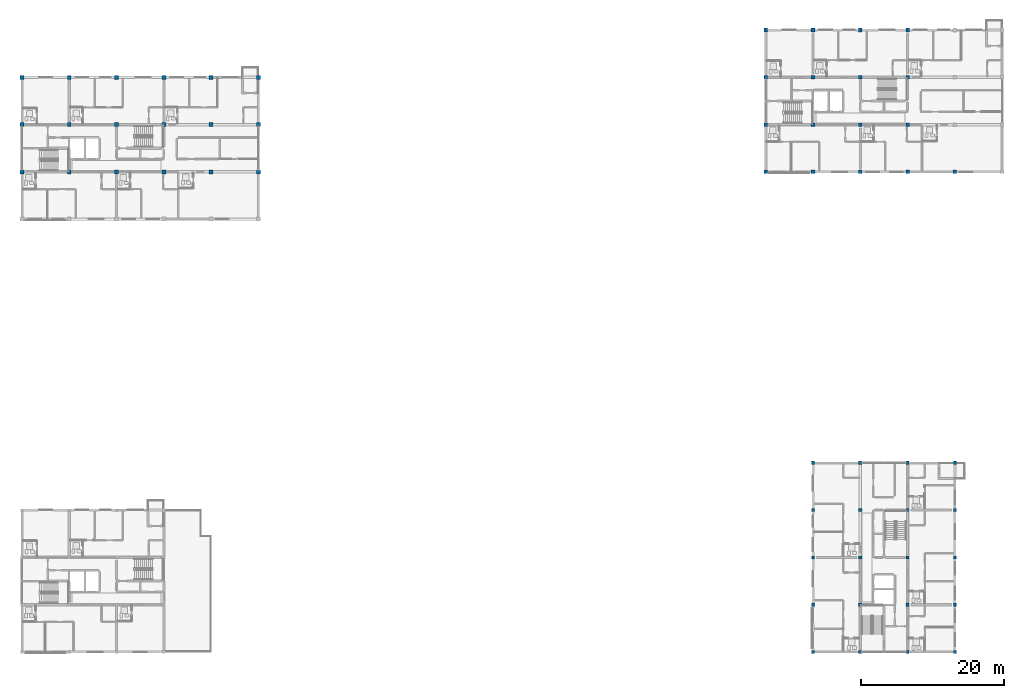
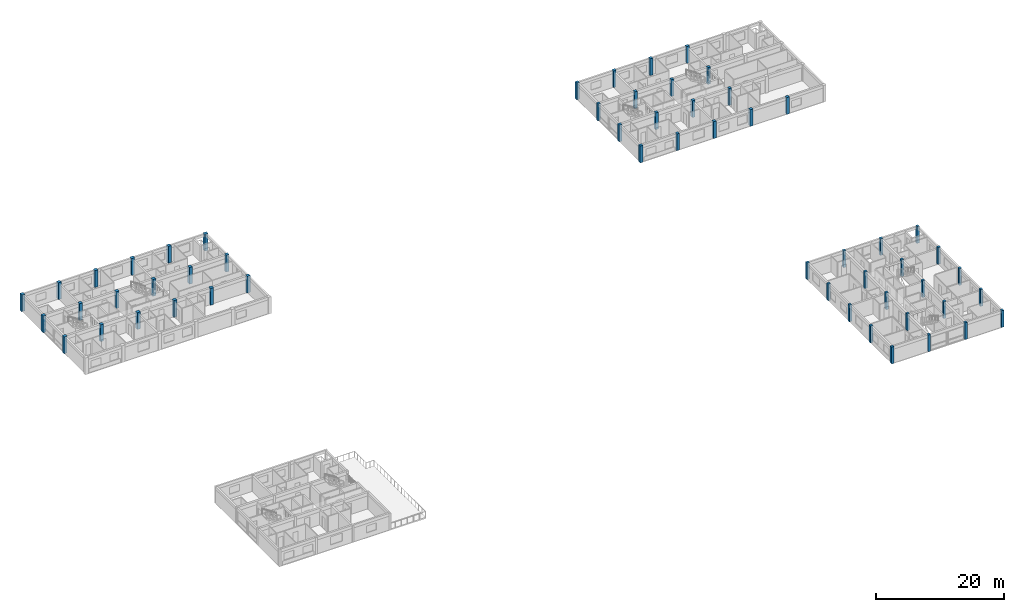
# One storey, part 2 of 46: 55 columns.
"""IFC4 building model written with IfcOpenShell, lengths in metres."""

from ifc_helpers import new_model, si_unit, direction, frame, origin, origin_2d, place, context, subcontext, project, spatial, rectangle, extrude, material, material_profile, profile_set, type_object, element, save


model = new_model("IFC4")

# Units and contexts
model_context = context("Model", 3, precision=1e-05, world=origin(), true_north=direction((0.0, 1.0)))
body_context = subcontext(model_context, "Body", "Model", "MODEL_VIEW")
ifc_project = project(units=[si_unit("LENGTHUNIT", "METRE"), si_unit("AREAUNIT", "SQUARE_METRE"), si_unit("VOLUMEUNIT", "CUBIC_METRE"), si_unit("PLANEANGLEUNIT", "RADIAN"), si_unit("MASSUNIT", "GRAM", prefix="KILO")], contexts=[model_context])

# Site, building, storey
site_placement = place(None, origin())
site = spatial("IfcSite", under=ifc_project, at=site_placement, CompositionType="ELEMENT")
building_placement = place(site_placement, origin())
building = spatial("IfcBuilding", under=site, at=building_placement, Name="Kernevlak Ridge Housing Community", CompositionType="ELEMENT")
storey_placement = place(building_placement, frame((0.0, 0.0, 27.60009765625)))
storey = spatial("IfcBuildingStorey", under=building, at=storey_placement, Name="L08", CompositionType="ELEMENT", Elevation=27.60009765625)

# Columns
ifc_material_1 = material(Name="Concrete C40/50", Category="concrete")
ifc_material_profile_1 = material_profile(ifc_material_1, rectangle(XDim=0.550048828125, YDim=0.550048828125, at=origin_2d()), Name="RC 550x550")
ifc_profile_set_1 = profile_set([ifc_material_profile_1], Name="Concrete C40/50")
column_type_1 = type_object("IfcColumnType", Name="C-02", PredefinedType="COLUMN", material=ifc_profile_set_1)
for number, where, z_axis, x_axis, name in (
    (1, (15.60009765625, 82.60009765625, 0.0), (0.0, 0.0, 1.0), (1.0, 0.0, 0.0), "Column C-02 COL-A-L08-00-1"),
    (2, (15.60009765625, 89.199951171875, 0.0), (0.0, 0.0, 1.0), (1.0, 0.0, 0.0), "Column C-02 COL-A-L08-00-2"),
    (3, (15.60009765625, 95.800048828125, 0.0), (0.0, 0.0, 1.0), (1.0, 0.0, 0.0), "Column C-02 COL-A-L08-00-3"),
    (4, (22.199951171875, 82.60009765625, 0.0), (0.0, 0.0, 1.0), (1.0, 0.0, 0.0), "Column C-02 COL-A-L08-01-1"),
    (5, (22.199951171875, 89.199951171875, 0.0), (0.0, 0.0, 1.0), (1.0, 0.0, 0.0), "Column C-02 COL-A-L08-01-2"),
    (6, (22.199951171875, 95.800048828125, 0.0), (0.0, 0.0, 1.0), (1.0, 0.0, 0.0), "Column C-02 COL-A-L08-01-3"),
    (7, (28.800048828125, 82.60009765625, 0.0), (0.0, 0.0, 1.0), (1.0, 0.0, 0.0), "Column C-02 COL-A-L08-02-1"),
    (8, (28.800048828125, 89.199951171875, 0.0), (0.0, 0.0, 1.0), (1.0, 0.0, 0.0), "Column C-02 COL-A-L08-02-2"),
    (9, (28.800048828125, 95.800048828125, 0.0), (0.0, 0.0, 1.0), (1.0, 0.0, 0.0), "Column C-02 COL-A-L08-02-3"),
    (10, (35.39990234375, 82.60009765625, 0.0), (0.0, 0.0, 1.0), (1.0, 0.0, 0.0), "Column C-02 COL-A-L08-03-1"),
    (11, (35.39990234375, 89.199951171875, 0.0), (0.0, 0.0, 1.0), (1.0, 0.0, 0.0), "Column C-02 COL-A-L08-03-2"),
    (12, (35.39990234375, 95.800048828125, 0.0), (0.0, 0.0, 1.0), (1.0, 0.0, 0.0), "Column C-02 COL-A-L08-03-3"),
    (13, (42.0, 82.60009765625, 0.0), (0.0, 0.0, 1.0), (1.0, 0.0, 0.0), "Column C-02 COL-A-L08-04-1"),
    (14, (42.0, 89.199951171875, 0.0), (0.0, 0.0, 1.0), (1.0, 0.0, 0.0), "Column C-02 COL-A-L08-04-2"),
    (15, (42.0, 95.800048828125, 0.0), (0.0, 0.0, 1.0), (1.0, 0.0, 0.0), "Column C-02 COL-A-L08-04-3"),
    (16, (48.60009765625, 82.60009765625, 0.0), (0.0, 0.0, 1.0), (1.0, 0.0, 0.0), "Column C-02 COL-A-L08-05-1"),
    (17, (48.60009765625, 89.199951171875, 0.0), (0.0, 0.0, 1.0), (1.0, 0.0, 0.0), "Column C-02 COL-A-L08-05-2"),
    (18, (48.60009765625, 95.800048828125, 0.0), (0.0, 0.0, 1.0), (1.0, 0.0, 0.0), "Column C-02 COL-A-L08-05-3"),
):
    element("IfcColumn", number, at=place(storey_placement, frame(where, z_axis=z_axis, x_axis=x_axis)), inside=storey, type_object=column_type_1, Name=name, PredefinedType="COLUMN", context=body_context, shape_type="SweptSolid", body=[
        extrude(rectangle(XDim=0.550048828125, YDim=0.550048828125, at=origin_2d()), origin(), (0.0, 0.0, 1.0), 3.199951171875),
    ])
ifc_material_profile_2 = material_profile(ifc_material_1, rectangle(XDim=0.5, YDim=0.5, at=origin_2d()), Name="RC 500x500")
ifc_profile_set_2 = profile_set([ifc_material_profile_2], Name="Concrete C40/50")
column_type_2 = type_object("IfcColumnType", Name="C-03", PredefinedType="COLUMN", material=ifc_profile_set_2)
for number, where, z_axis, x_axis, name in (
    (19, (119.39990234375, 82.60009765625, 0.0), (0.0, 0.0, 1.0), (1.0, 0.0, 0.0), "Column C-03 COL-B-L08-00-0"),
    (20, (119.39990234375, 89.199951171875, 0.0), (0.0, 0.0, 1.0), (1.0, 0.0, 0.0), "Column C-03 COL-B-L08-00-1"),
    (21, (119.39990234375, 95.800048828125, 0.0), (0.0, 0.0, 1.0), (1.0, 0.0, 0.0), "Column C-03 COL-B-L08-00-2"),
    (22, (119.39990234375, 102.39990234375, 0.0), (0.0, 0.0, 1.0), (1.0, 0.0, 0.0), "Column C-03 COL-B-L08-00-3"),
    (23, (126.0, 82.60009765625, 0.0), (0.0, 0.0, 1.0), (1.0, 0.0, 0.0), "Column C-03 COL-B-L08-01-0"),
    (24, (126.0, 89.199951171875, 0.0), (0.0, 0.0, 1.0), (1.0, 0.0, 0.0), "Column C-03 COL-B-L08-01-1"),
    (25, (126.0, 95.800048828125, 0.0), (0.0, 0.0, 1.0), (1.0, 0.0, 0.0), "Column C-03 COL-B-L08-01-2"),
    (26, (126.0, 102.39990234375, 0.0), (0.0, 0.0, 1.0), (1.0, 0.0, 0.0), "Column C-03 COL-B-L08-01-3"),
    (27, (132.60009765625, 82.60009765625, 0.0), (0.0, 0.0, 1.0), (1.0, 0.0, 0.0), "Column C-03 COL-B-L08-02-0"),
    (28, (132.60009765625, 89.199951171875, 0.0), (0.0, 0.0, 1.0), (1.0, 0.0, 0.0), "Column C-03 COL-B-L08-02-1"),
    (29, (132.60009765625, 95.800048828125, 0.0), (0.0, 0.0, 1.0), (1.0, 0.0, 0.0), "Column C-03 COL-B-L08-02-2"),
    (30, (132.60009765625, 102.39990234375, 0.0), (0.0, 0.0, 1.0), (1.0, 0.0, 0.0), "Column C-03 COL-B-L08-02-3"),
    (31, (139.199951171875, 82.60009765625, 0.0), (0.0, 0.0, 1.0), (1.0, 0.0, 0.0), "Column C-03 COL-B-L08-03-0"),
    (32, (139.199951171875, 89.199951171875, 0.0), (0.0, 0.0, 1.0), (1.0, 0.0, 0.0), "Column C-03 COL-B-L08-03-1"),
    (33, (139.199951171875, 95.800048828125, 0.0), (0.0, 0.0, 1.0), (1.0, 0.0, 0.0), "Column C-03 COL-B-L08-03-2"),
    (34, (139.199951171875, 102.39990234375, 0.0), (0.0, 0.0, 1.0), (1.0, 0.0, 0.0), "Column C-03 COL-B-L08-03-3"),
    (35, (145.800048828125, 82.60009765625, 0.0), (0.0, 0.0, 1.0), (1.0, 0.0, 0.0), "Column C-03 COL-B-L08-04-0"),
):
    element("IfcColumn", number, at=place(storey_placement, frame(where, z_axis=z_axis, x_axis=x_axis)), inside=storey, type_object=column_type_2, Name=name, PredefinedType="COLUMN", context=body_context, shape_type="SweptSolid", body=[
        extrude(rectangle(XDim=0.5, YDim=0.5, at=origin_2d()), origin(), (0.0, 0.0, 1.0), 3.199951171875),
    ])
ifc_material_2 = material(Name="Concrete C35/45", Category="concrete")
ifc_material_profile_3 = material_profile(ifc_material_2, rectangle(XDim=0.449951171875, YDim=0.449951171875, at=origin_2d()), Name="RC 450x450")
ifc_profile_set_3 = profile_set([ifc_material_profile_3], Name="Concrete C35/45")
column_type_3 = type_object("IfcColumnType", Name="C-04", PredefinedType="COLUMN", material=ifc_profile_set_3)
for number, where, z_axis, x_axis, name in (
    (36, (126.0, 15.60009765625, 0.0), (0.0, 0.0, 1.0), (1.0, 0.0, 0.0), "Column C-04 COL-C-L08-00-0"),
    (37, (132.60009765625, 15.60009765625, 0.0), (0.0, 0.0, 1.0), (1.0, 0.0, 0.0), "Column C-04 COL-C-L08-00-1"),
    (38, (139.199951171875, 15.60009765625, 0.0), (0.0, 0.0, 1.0), (1.0, 0.0, 0.0), "Column C-04 COL-C-L08-00-2"),
    (39, (145.800048828125, 15.60009765625, 0.0), (0.0, 0.0, 1.0), (1.0, 0.0, 0.0), "Column C-04 COL-C-L08-00-3"),
    (40, (126.0, 22.199951171875, 0.0), (0.0, 0.0, 1.0), (1.0, 0.0, 0.0), "Column C-04 COL-C-L08-01-0"),
    (41, (132.60009765625, 22.199951171875, 0.0), (0.0, 0.0, 1.0), (1.0, 0.0, 0.0), "Column C-04 COL-C-L08-01-1"),
    (42, (139.199951171875, 22.199951171875, 0.0), (0.0, 0.0, 1.0), (1.0, 0.0, 0.0), "Column C-04 COL-C-L08-01-2"),
    (43, (145.800048828125, 22.199951171875, 0.0), (0.0, 0.0, 1.0), (1.0, 0.0, 0.0), "Column C-04 COL-C-L08-01-3"),
    (44, (126.0, 28.800048828125, 0.0), (0.0, 0.0, 1.0), (1.0, 0.0, 0.0), "Column C-04 COL-C-L08-02-0"),
    (45, (132.60009765625, 28.800048828125, 0.0), (0.0, 0.0, 1.0), (1.0, 0.0, 0.0), "Column C-04 COL-C-L08-02-1"),
    (46, (139.199951171875, 28.800048828125, 0.0), (0.0, 0.0, 1.0), (1.0, 0.0, 0.0), "Column C-04 COL-C-L08-02-2"),
    (47, (145.800048828125, 28.800048828125, 0.0), (0.0, 0.0, 1.0), (1.0, 0.0, 0.0), "Column C-04 COL-C-L08-02-3"),
    (48, (126.0, 35.39990234375, 0.0), (0.0, 0.0, 1.0), (1.0, 0.0, 0.0), "Column C-04 COL-C-L08-03-0"),
    (49, (132.60009765625, 35.39990234375, 0.0), (0.0, 0.0, 1.0), (1.0, 0.0, 0.0), "Column C-04 COL-C-L08-03-1"),
    (50, (139.199951171875, 35.39990234375, 0.0), (0.0, 0.0, 1.0), (1.0, 0.0, 0.0), "Column C-04 COL-C-L08-03-2"),
    (51, (145.800048828125, 35.39990234375, 0.0), (0.0, 0.0, 1.0), (1.0, 0.0, 0.0), "Column C-04 COL-C-L08-03-3"),
    (52, (126.0, 42.0, 0.0), (0.0, 0.0, 1.0), (1.0, 0.0, 0.0), "Column C-04 COL-C-L08-04-0"),
    (53, (132.60009765625, 42.0, 0.0), (0.0, 0.0, 1.0), (1.0, 0.0, 0.0), "Column C-04 COL-C-L08-04-1"),
    (54, (139.199951171875, 42.0, 0.0), (0.0, 0.0, 1.0), (1.0, 0.0, 0.0), "Column C-04 COL-C-L08-04-2"),
    (55, (145.800048828125, 42.0, 0.0), (0.0, 0.0, 1.0), (1.0, 0.0, 0.0), "Column C-04 COL-C-L08-04-3"),
):
    element("IfcColumn", number, at=place(storey_placement, frame(where, z_axis=z_axis, x_axis=x_axis)), inside=storey, type_object=column_type_3, Name=name, PredefinedType="COLUMN", context=body_context, shape_type="SweptSolid", body=[
        extrude(rectangle(XDim=0.449951171875, YDim=0.449951171875, at=origin_2d()), origin(), (0.0, 0.0, 1.0), 3.199951171875),
    ])

save(model, "model.ifc")
